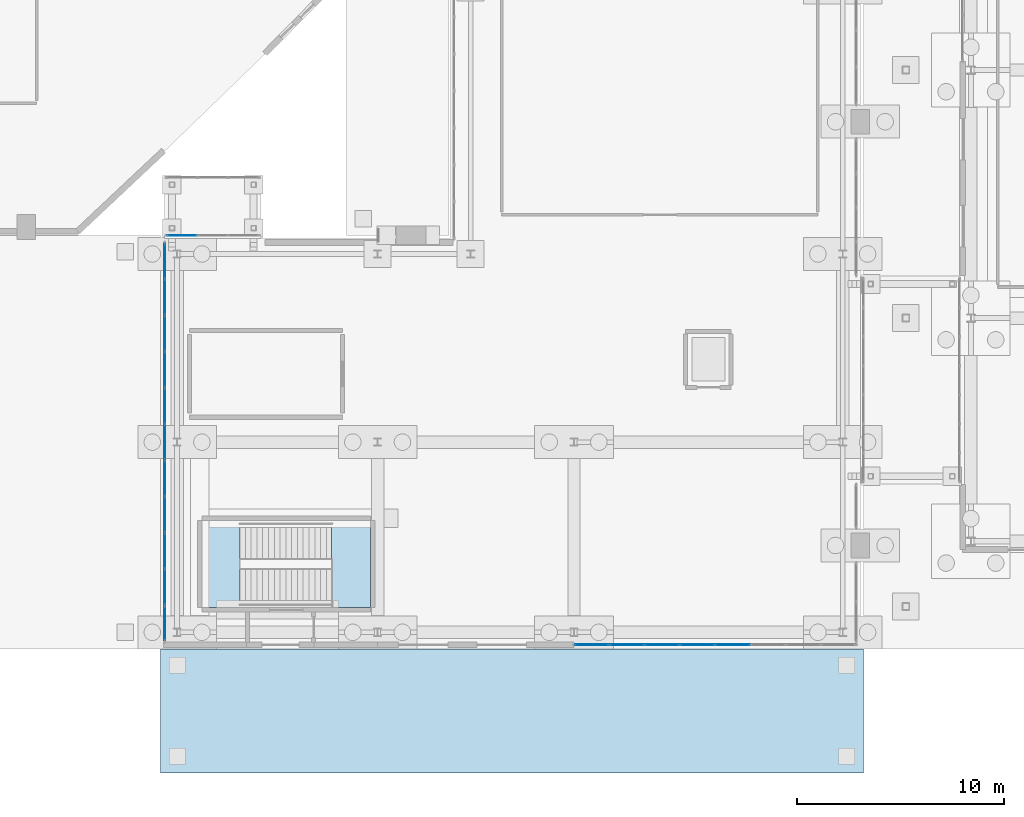
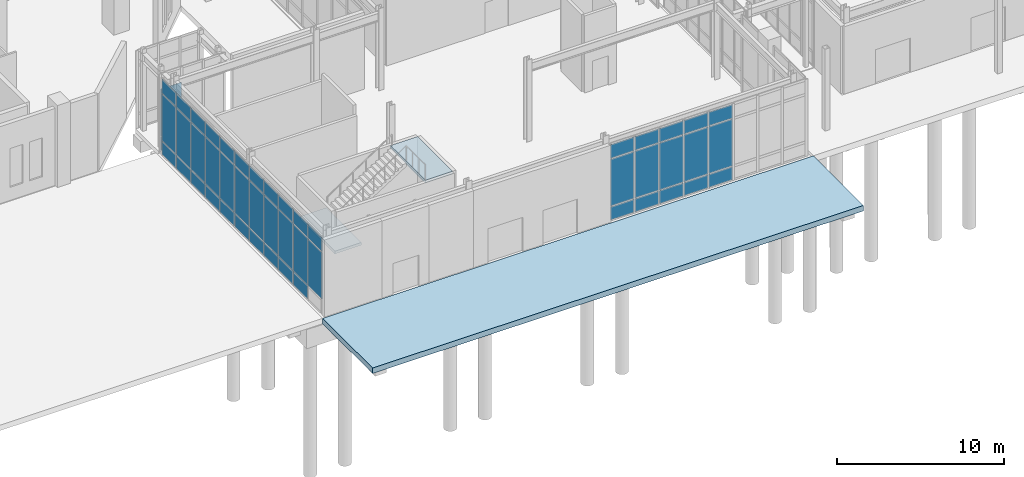
# One storey, part 80 of 143: 49 plates, 3 slabs, 4 elements without a shape of their own.
"""IFC4 building model written with IfcOpenShell, lengths in metres."""

import ifcopenshell
import ifcopenshell.guid

model = None  # the IFC model being written
_history = None  # IfcOwnerHistory: only IFC2X3 demands one
_inside = {}  # id of a spatial element -> (the spatial element, [elements in it])
_under = {}  # id of a project, library or spatial element -> (it, [spatial elements below it])
_declared = {}  # id of a project -> (the project, [libraries it declares])
_typed = {}  # id of a type object -> (the type object, [elements of that type])
_made_of = {}  # id of a material, layer set ... -> (it, [elements and type objects made of it])


def new_model(schema):
    """Start an empty IFC model of exactly this schema.

    Asked for "IFC4X3", IfcOpenShell would pick the latest addendum, in which some entities
    have other attributes; the version numbers below select the first issue.
    IFC2X3 requires an IfcOwnerHistory on every rooted entity: one is made here for all.
    """
    global model, _history
    if schema == "IFC4X3":
        model = ifcopenshell.file(schema_version=(4, 3, 0, 0))
    else:
        model = ifcopenshell.file(schema=schema)
    _inside.clear()
    _under.clear()
    _declared.clear()
    _typed.clear()
    _made_of.clear()
    _history = None
    if model.schema == "IFC2X3":
        org = make("IfcOrganization", Name="unknown")
        user = make(
            "IfcPersonAndOrganization",
            ThePerson=make("IfcPerson", FamilyName="unknown"),
            TheOrganization=org,
        )
        app = make(
            "IfcApplication",
            ApplicationDeveloper=org,
            Version="unknown",
            ApplicationFullName="unknown",
            ApplicationIdentifier="unknown",
        )
        _history = make(
            "IfcOwnerHistory",
            OwningUser=user,
            OwningApplication=app,
            ChangeAction="ADDED",
            CreationDate=0,
        )
    return model


def make(cls, **values):
    """One entity of the class cls with the attributes given. An attribute that is None is left unset."""
    return model.create_entity(
        cls, **{name: value for name, value in values.items() if value is not None}
    )


def rooted(cls, **values):
    """An entity with a GlobalId (a new one), such as an element, a storey or a relation."""
    return make(cls, GlobalId=ifcopenshell.guid.new(), OwnerHistory=_history, **values)


def si_unit(unit_type, name, prefix=None):
    """IfcSIUnit, for example si_unit("LENGTHUNIT", "METRE", prefix="MILLI")."""
    return make("IfcSIUnit", UnitType=unit_type, Prefix=prefix, Name=name)


def derived_unit(unit_type, elements):
    """IfcDerivedUnit: a product of units, each with its exponent."""
    return make(
        "IfcDerivedUnit",
        Elements=[
            make("IfcDerivedUnitElement", Unit=unit, Exponent=power)
            for unit, power in elements
        ],
        UnitType=unit_type,
    )


def assignment(units):
    """IfcUnitAssignment: the units of a project."""
    return None if units is None else make("IfcUnitAssignment", Units=units)


def point(xyz):
    """IfcCartesianPoint."""
    return None if xyz is None else make("IfcCartesianPoint", Coordinates=xyz)


def direction(xyz):
    """IfcDirection."""
    return None if xyz is None else make("IfcDirection", DirectionRatios=xyz)


def frame(location, z_axis=None, x_axis=None):
    """IfcAxis2Placement3D, a coordinate frame: its origin and axes. An axis left out is left unset."""
    return make(
        "IfcAxis2Placement3D",
        Location=point(location),
        Axis=direction(z_axis),
        RefDirection=direction(x_axis),
    )


def frame_2d(location, x_axis=None):
    """IfcAxis2Placement2D, a coordinate frame in the plane: its origin and x axis."""
    return make(
        "IfcAxis2Placement2D", Location=point(location), RefDirection=direction(x_axis)
    )


def origin():
    """The frame at (0, 0, 0) with its axes left unset."""
    return frame((0.0, 0.0, 0.0))


def origin_2d():
    """The frame at (0, 0) in the plane with its x axis left unset."""
    return frame_2d((0.0, 0.0))


def place(relative_to, where):
    """IfcLocalPlacement: puts the frame where relative to a parent placement (None: the world)."""
    return make(
        "IfcLocalPlacement", PlacementRelTo=relative_to, RelativePlacement=where
    )


def context(
    kind, dimensions, precision=None, world=None, true_north=None, identifier=None
):
    """IfcGeometricRepresentationContext, for example the 3D "Model" context."""
    return make(
        "IfcGeometricRepresentationContext",
        ContextIdentifier=identifier,
        ContextType=kind,
        CoordinateSpaceDimension=dimensions,
        Precision=precision,
        WorldCoordinateSystem=world,
        TrueNorth=true_north,
    )


def subcontext(parent, identifier, kind, view, scale=None):
    """IfcGeometricRepresentationSubContext, for example "Body" below "Model"."""
    return make(
        "IfcGeometricRepresentationSubContext",
        ContextIdentifier=identifier,
        ContextType=kind,
        ParentContext=parent,
        TargetScale=scale,
        TargetView=view,
    )


def project(units=None, contexts=None):
    """IfcProject with its units and contexts."""
    return rooted(
        "IfcProject",
        Name="project",
        RepresentationContexts=contexts,
        UnitsInContext=assignment(units),
    )


def spatial(cls, under=None, at=None, **own):
    """A site, building, storey or space (cls), placed at a placement, below another one or the project."""
    s = rooted(cls, ObjectPlacement=at, **own)
    if under is not None:
        _under.setdefault(under.id(), (under, []))[1].append(s)
    return s


def polyline(points):
    """IfcPolyline through the points."""
    return make("IfcPolyline", Points=[point(p) for p in points])


def profile(cls, at=None, kind="AREA", **sizes):
    """A parametric profile (cls). Its sizes go by their IFC names, for example OverallWidth=200.0."""
    return make(cls, ProfileType=kind, Position=at, **sizes)


def rectangle(**sizes):
    """IfcRectangleProfileDef."""
    return profile("IfcRectangleProfileDef", **sizes)


def outline(outer, holes=None, kind="AREA"):
    """IfcArbitraryClosedProfileDef: a profile drawn as a closed curve; with holes, ...WithVoids."""
    if holes is None:
        return make("IfcArbitraryClosedProfileDef", ProfileType=kind, OuterCurve=outer)
    return make(
        "IfcArbitraryProfileDefWithVoids",
        ProfileType=kind,
        OuterCurve=outer,
        InnerCurves=holes,
    )


def extrude(swept, where, along, depth):
    """IfcExtrudedAreaSolid: the profile swept, set in the frame where, extruded along a direction by depth."""
    return make(
        "IfcExtrudedAreaSolid",
        SweptArea=swept,
        Position=where,
        ExtrudedDirection=direction(along),
        Depth=depth,
    )


def shape(context_of_items, identifier, shape_type, items):
    """IfcShapeRepresentation: the items that make up one representation, for example the "Body"."""
    return make(
        "IfcShapeRepresentation",
        ContextOfItems=context_of_items,
        RepresentationIdentifier=identifier,
        RepresentationType=shape_type,
        Items=items,
    )


def material(Name=None, Category=None):
    """IfcMaterial."""
    return make("IfcMaterial", Name=Name, Category=Category)


def layer(
    of_material, thickness, ventilated=None, Name=None, Category=None, Priority=None
):
    """IfcMaterialLayer: one layer of a wall or slab, of a material (None: an air gap)."""
    return make(
        "IfcMaterialLayer",
        Material=of_material,
        LayerThickness=thickness,
        IsVentilated=ventilated,
        Name=Name,
        Category=Category,
        Priority=Priority,
    )


def layer_set(layers, Name=None):
    """IfcMaterialLayerSet."""
    return make("IfcMaterialLayerSet", MaterialLayers=layers, LayerSetName=Name)


def made_of(thing, what):
    """Note that an element or type object is made of a material, layer set ...; save() writes the relation."""
    if what is not None:
        _made_of.setdefault(what.id(), (what, []))[1].append(thing)
    return thing


def type_object(cls, material=None, **own):
    """A type object (cls), such as IfcWallType, which elements share."""
    return made_of(rooted(cls, **own), material)


def element(
    cls,
    number,
    at=None,
    inside=None,
    cuts=None,
    type_object=None,
    material=None,
    context=None,
    identifier="Body",
    shape_type=None,
    held_by="IfcProductDefinitionShape",
    body=None,
    shapes=None,
    **own,
):
    """One element of the class cls, such as IfcWall. Its Tag is "e" and its number.

    at: its placement. inside: the storey or other place that contains it. cuts: it is an
    opening in that element (IfcRelVoidsElement). A single representation is given by context,
    identifier, shape_type and body (its items); several are given by shapes. held_by: the class
    of the entity that holds the representations. save() writes the other relations.
    """
    e = rooted(cls, Tag="e%d" % number, ObjectPlacement=at, **own)
    if body is not None:
        shapes = [shape(context, identifier, shape_type, body)]
    if shapes is not None:
        e.Representation = make(held_by, Representations=shapes)
    if inside is not None:
        _inside.setdefault(inside.id(), (inside, []))[1].append(e)
    if cuts is not None:
        rooted(
            "IfcRelVoidsElement", RelatingBuildingElement=cuts, RelatedOpeningElement=e
        )
    if type_object is not None:
        _typed.setdefault(type_object.id(), (type_object, []))[1].append(e)
    return made_of(e, material)


def aggregate(whole, parts):
    """IfcRelAggregates: a whole, such as a stair, and the parts it consists of."""
    return rooted("IfcRelAggregates", RelatingObject=whole, RelatedObjects=parts)


def save(model, path):
    """Write the relations noted so far, then the file.

    IfcRelAggregates (storeys below a building ...), IfcRelContainedInSpatialStructure (elements
    in a storey), IfcRelDefinesByType, IfcRelAssociatesMaterial and IfcRelDeclares: one each for
    every whole, place, type object, material and project.
    """
    for whole, parts in _under.values():
        aggregate(whole, parts)
    for where, things in _inside.values():
        rooted(
            "IfcRelContainedInSpatialStructure",
            RelatedElements=things,
            RelatingStructure=where,
        )
    for kind, things in _typed.values():
        rooted("IfcRelDefinesByType", RelatedObjects=things, RelatingType=kind)
    for what, things in _made_of.values():
        rooted("IfcRelAssociatesMaterial", RelatedObjects=things, RelatingMaterial=what)
    for by, libraries in _declared.values():
        rooted("IfcRelDeclares", RelatingContext=by, RelatedDefinitions=libraries)
    model.write(path)


model = new_model("IFC4")

# Units and contexts
model_context = context("Model", 3, precision=1e-05, world=origin(), true_north=direction((0.0, 1.0)))
body_context = subcontext(model_context, "Body", "Model", "MODEL_VIEW")
ifc_project = project(units=[si_unit("LENGTHUNIT", "METRE"), si_unit("AREAUNIT", "SQUARE_METRE"), si_unit("VOLUMEUNIT", "CUBIC_METRE"), si_unit("PLANEANGLEUNIT", "RADIAN"), si_unit("MASSUNIT", "GRAM", prefix="KILO"), derived_unit("THERMALTRANSMITTANCEUNIT", [(si_unit("MASSUNIT", "GRAM", prefix="KILO"), 1), (si_unit("TIMEUNIT", "SECOND"), -3), (si_unit("THERMODYNAMICTEMPERATUREUNIT", "KELVIN"), -1)])], contexts=[model_context])

# Site, building, storey
site_placement = place(None, origin())
site = spatial("IfcSite", under=ifc_project, at=site_placement, CompositionType="ELEMENT")
building_placement = place(site_placement, origin())
building = spatial("IfcBuilding", under=site, at=building_placement, Name="Valcora Ridge Arena", CompositionType="ELEMENT")
storey_placement = place(building_placement, origin())
storey = spatial("IfcBuildingStorey", under=building, at=storey_placement, Name="L00", CompositionType="ELEMENT", Elevation=0.0)

# Stair, slabs
ifc_material_1 = material(Name="Concrete C40/50", Category="concrete")
stair_type = type_object("IfcStairType", Name="TY-STAIR-ES11-60", PredefinedType="HALF_TURN_STAIR", material=ifc_material_1)
stair_placement = place(storey_placement, origin())
stair = element("IfcStair", 1, at=stair_placement, inside=storey, type_object=stair_type, Name="ES11-60 STR-ES-0036", PredefinedType="HALF_TURN_STAIR")
ifc_layer_1 = layer(ifc_material_1, 0.199951171875, Name="Concrete C40/50")
ifc_layer_set_1 = layer_set([ifc_layer_1], Name="Concrete C40/50")
slab_type_1 = type_object("IfcSlabType", Name="TY-LAND-ES11-60", PredefinedType="LANDING", material=ifc_layer_set_1)
slab_1_placement = place(storey_placement, frame((0.0, 0.0, 2.800048828125)))
slab_1 = element("IfcSlab", 2, at=slab_1_placement, type_object=slab_type_1, Name="ES11-60 landing 1", PredefinedType="LANDING", context=body_context, shape_type="SweptSolid", body=[
    extrude(outline(polyline([(100.001953125, 2.001953125), (101.840087890625, 2.001953125), (101.840087890625, 6.197998046875), (100.001953125, 6.197998046875), (100.001953125, 2.001953125)])), origin(), (0.0, 0.0, 1.0), 0.199951171875),
])
slab_2_placement = place(storey_placement, frame((0.0, 0.0, 5.800048828125)))
slab_2 = element("IfcSlab", 3, at=slab_2_placement, type_object=slab_type_1, Name="ES11-60 landing 2", PredefinedType="LANDING", context=body_context, shape_type="SweptSolid", body=[
    extrude(outline(polyline([(106.280029296875, 2.001953125), (108.157958984375, 2.001953125), (108.157958984375, 6.197998046875), (106.280029296875, 6.197998046875), (106.280029296875, 2.001953125)])), origin(), (0.0, 0.0, 1.0), 0.199951171875),
])
aggregate(stair, [slab_1, slab_2])

# Curtain wall, plates
ifc_material_2 = material(Name="Anodised dark bronze architectural aluminium 6063-T6", Category="aluminium")
ifc_layer_2 = layer(ifc_material_2, 0.14990234375, Name="Anodised dark bronze architectural aluminium 6063-T6")
ifc_layer_set_2 = layer_set([ifc_layer_2], Name="Anodised dark bronze architectural aluminium 6063-T6")
curtain_wall_type_1 = type_object("IfcCurtainWallType", Name="TY-CURTAINWALL-CW-BRG-045X57", PredefinedType="NOTDEFINED", material=ifc_layer_set_2)
curtain_wall_1_placement = place(storey_placement, origin())
curtain_wall_1 = element("IfcCurtainWall", 4, at=curtain_wall_1_placement, inside=storey, type_object=curtain_wall_type_1, Name="CW-BRG-045X57 CW-0346", PredefinedType="NOTDEFINED")
ifc_material_3 = material(Name="Low-iron solar-control double glazing SHGC 0.28", Category="glass")
ifc_layer_3 = layer(ifc_material_3, 0.028076171875, Name="Low-iron solar-control double glazing SHGC 0.28")
ifc_layer_set_3 = layer_set([ifc_layer_3], Name="Low-iron solar-control double glazing SHGC 0.28")
plate_type_1 = type_object("IfcPlateType", Name="TY-PLT-CWP-1422X0975", PredefinedType="CURTAIN_PANEL", material=ifc_layer_set_3)
plate_1_placement = place(storey_placement, frame((99.041015625, 20.0, 0.050048828125), z_axis=(0.0, 0.0, 1.0), x_axis=(1.0, 0.0, 0.0)))
plate_1 = element("IfcPlate", 5, at=plate_1_placement, type_object=plate_type_1, Name="CW-0346/P00-00", PredefinedType="CURTAIN_PANEL", context=body_context, shape_type="SweptSolid", body=[
    extrude(rectangle(XDim=1.422119140625, YDim=0.028076171875, at=origin_2d()), origin(), (0.0, 0.0, 1.0), 0.97509765625),
])
ifc_layer_4 = layer(ifc_material_3, 0.028076171875, Name="Low-iron solar-control double glazing SHGC 0.28")
ifc_layer_set_4 = layer_set([ifc_layer_4], Name="Low-iron solar-control double glazing SHGC 0.28")
plate_type_2 = type_object("IfcPlateType", Name="TY-PLT-CWP-1422X3480", PredefinedType="CURTAIN_PANEL", material=ifc_layer_set_4)
plate_2_placement = place(storey_placement, frame((99.041015625, 20.0, 1.074951171875), z_axis=(0.0, 0.0, 1.0), x_axis=(1.0, 0.0, 0.0)))
plate_2 = element("IfcPlate", 6, at=plate_2_placement, type_object=plate_type_2, Name="CW-0346/P00-01", PredefinedType="CURTAIN_PANEL", context=body_context, shape_type="SweptSolid", body=[
    extrude(rectangle(XDim=1.422119140625, YDim=0.028076171875, at=origin_2d()), origin(), (0.0, 0.0, 1.0), 3.47998046875),
])
aggregate(curtain_wall_1, [plate_1, plate_2])

ifc_layer_5 = layer(ifc_material_2, 0.179931640625, Name="Anodised dark bronze architectural aluminium 6063-T6")
ifc_layer_set_5 = layer_set([ifc_layer_5], Name="Anodised dark bronze architectural aluminium 6063-T6")
curtain_wall_type_2 = type_object("IfcCurtainWallType", Name="TY-CURTAINWALL-CW-V3-LANCET-136X56", PredefinedType="NOTDEFINED", material=ifc_layer_set_5)
curtain_wall_2_placement = place(storey_placement, origin())
curtain_wall_2 = element("IfcCurtainWall", 7, at=curtain_wall_2_placement, inside=storey, type_object=curtain_wall_type_2, Name="CW-V3-LANCET-136X56 CW-0001", PredefinedType="NOTDEFINED")
ifc_layer_6 = layer(ifc_material_3, 0.031982421875, Name="Low-iron solar-control double glazing SHGC 0.28")
ifc_layer_set_6 = layer_set([ifc_layer_6], Name="Low-iron solar-control double glazing SHGC 0.28")
plate_type_3 = type_object("IfcPlateType", Name="TY-PLT-CWP-1616X0960", PredefinedType="CURTAIN_PANEL", material=ifc_layer_set_6)
plate_3_placement = place(storey_placement, frame((118.867919921875, 0.199951171875, 0.06005859375), z_axis=(0.0, 0.0, 1.0), x_axis=(1.0, 0.0, 0.0)))
plate_3 = element("IfcPlate", 8, at=plate_3_placement, type_object=plate_type_3, Name="CW-0001/P00-00", PredefinedType="CURTAIN_PANEL", context=body_context, shape_type="SweptSolid", body=[
    extrude(rectangle(XDim=1.615966796875, YDim=0.031982421875, at=origin_2d()), origin(), (0.0, 0.0, 1.0), 0.9599609375),
])
ifc_layer_7 = layer(ifc_material_3, 0.031982421875, Name="Low-iron solar-control double glazing SHGC 0.28")
ifc_layer_set_7 = layer_set([ifc_layer_7], Name="Low-iron solar-control double glazing SHGC 0.28")
plate_type_4 = type_object("IfcPlateType", Name="TY-PLT-CWP-1616X1010", PredefinedType="CURTAIN_PANEL", material=ifc_layer_set_7)
plate_4_placement = place(storey_placement, frame((118.867919921875, 0.199951171875, 4.56982421875), z_axis=(0.0, 0.0, 1.0), x_axis=(1.0, 0.0, 0.0)))
plate_4 = element("IfcPlate", 9, at=plate_4_placement, type_object=plate_type_4, Name="CW-0001/P00-02", PredefinedType="CURTAIN_PANEL", context=body_context, shape_type="SweptSolid", body=[
    extrude(rectangle(XDim=1.615966796875, YDim=0.031982421875, at=origin_2d()), origin(), (0.0, 0.0, 1.0), 1.010009765625),
])
ifc_layer_8 = layer(ifc_material_3, 0.031982421875, Name="Low-iron solar-control double glazing SHGC 0.28")
ifc_layer_set_8 = layer_set([ifc_layer_8], Name="Low-iron solar-control double glazing SHGC 0.28")
plate_type_5 = type_object("IfcPlateType", Name="TY-PLT-CWP-1616X3430", PredefinedType="CURTAIN_PANEL", material=ifc_layer_set_8)
plate_5_placement = place(storey_placement, frame((118.867919921875, 0.199951171875, 1.080078125), z_axis=(0.0, 0.0, 1.0), x_axis=(1.0, 0.0, 0.0)))
plate_5 = element("IfcPlate", 10, at=plate_5_placement, type_object=plate_type_5, Name="CW-0001/P00-01", PredefinedType="CURTAIN_PANEL", context=body_context, shape_type="SweptSolid", body=[
    extrude(rectangle(XDim=1.615966796875, YDim=0.031982421875, at=origin_2d()), origin(), (0.0, 0.0, 1.0), 3.429931640625),
])
ifc_layer_9 = layer(ifc_material_3, 0.031982421875, Name="Low-iron solar-control double glazing SHGC 0.28")
ifc_layer_set_9 = layer_set([ifc_layer_9], Name="Low-iron solar-control double glazing SHGC 0.28")
plate_type_6 = type_object("IfcPlateType", Name="TY-PLT-CWP-1646X0960", PredefinedType="CURTAIN_PANEL", material=ifc_layer_set_9)
plate_6_placement = place(storey_placement, frame((123.971923828125, 0.199951171875, 0.06005859375), z_axis=(0.0, 0.0, 1.0), x_axis=(1.0, 0.0, 0.0)))
plate_6 = element("IfcPlate", 11, at=plate_6_placement, type_object=plate_type_6, Name="CW-0001/P03-00", PredefinedType="CURTAIN_PANEL", context=body_context, shape_type="SweptSolid", body=[
    extrude(rectangle(XDim=1.64599609375, YDim=0.031982421875, at=origin_2d()), origin(), (0.0, 0.0, 1.0), 0.9599609375),
])
plate_7_placement = place(storey_placement, frame((125.677978515625, 0.199951171875, 0.06005859375), z_axis=(0.0, 0.0, 1.0), x_axis=(1.0, 0.0, 0.0)))
plate_7 = element("IfcPlate", 12, at=plate_7_placement, type_object=plate_type_6, Name="CW-0001/P04-00", PredefinedType="CURTAIN_PANEL", context=body_context, shape_type="SweptSolid", body=[
    extrude(rectangle(XDim=1.64599609375, YDim=0.031982421875, at=origin_2d()), origin(), (0.0, 0.0, 1.0), 0.9599609375),
])
ifc_layer_10 = layer(ifc_material_3, 0.031982421875, Name="Low-iron solar-control double glazing SHGC 0.28")
ifc_layer_set_10 = layer_set([ifc_layer_10], Name="Low-iron solar-control double glazing SHGC 0.28")
plate_type_7 = type_object("IfcPlateType", Name="TY-PLT-CWP-1646X1010", PredefinedType="CURTAIN_PANEL", material=ifc_layer_set_10)
plate_8_placement = place(storey_placement, frame((123.971923828125, 0.199951171875, 4.56982421875), z_axis=(0.0, 0.0, 1.0), x_axis=(1.0, 0.0, 0.0)))
plate_8 = element("IfcPlate", 13, at=plate_8_placement, type_object=plate_type_7, Name="CW-0001/P03-02", PredefinedType="CURTAIN_PANEL", context=body_context, shape_type="SweptSolid", body=[
    extrude(rectangle(XDim=1.64599609375, YDim=0.031982421875, at=origin_2d()), origin(), (0.0, 0.0, 1.0), 1.010009765625),
])
plate_9_placement = place(storey_placement, frame((125.677978515625, 0.199951171875, 4.56982421875), z_axis=(0.0, 0.0, 1.0), x_axis=(1.0, 0.0, 0.0)))
plate_9 = element("IfcPlate", 14, at=plate_9_placement, type_object=plate_type_7, Name="CW-0001/P04-02", PredefinedType="CURTAIN_PANEL", context=body_context, shape_type="SweptSolid", body=[
    extrude(rectangle(XDim=1.64599609375, YDim=0.031982421875, at=origin_2d()), origin(), (0.0, 0.0, 1.0), 1.010009765625),
])
ifc_layer_11 = layer(ifc_material_3, 0.031982421875, Name="Low-iron solar-control double glazing SHGC 0.28")
ifc_layer_set_11 = layer_set([ifc_layer_11], Name="Low-iron solar-control double glazing SHGC 0.28")
plate_type_8 = type_object("IfcPlateType", Name="TY-PLT-CWP-1646X3430", PredefinedType="CURTAIN_PANEL", material=ifc_layer_set_11)
plate_10_placement = place(storey_placement, frame((123.971923828125, 0.199951171875, 1.080078125), z_axis=(0.0, 0.0, 1.0), x_axis=(1.0, 0.0, 0.0)))
plate_10 = element("IfcPlate", 15, at=plate_10_placement, type_object=plate_type_8, Name="CW-0001/P03-01", PredefinedType="CURTAIN_PANEL", context=body_context, shape_type="SweptSolid", body=[
    extrude(rectangle(XDim=1.64599609375, YDim=0.031982421875, at=origin_2d()), origin(), (0.0, 0.0, 1.0), 3.429931640625),
])
plate_11_placement = place(storey_placement, frame((125.677978515625, 0.199951171875, 1.080078125), z_axis=(0.0, 0.0, 1.0), x_axis=(1.0, 0.0, 0.0)))
plate_11 = element("IfcPlate", 16, at=plate_11_placement, type_object=plate_type_8, Name="CW-0001/P04-01", PredefinedType="CURTAIN_PANEL", context=body_context, shape_type="SweptSolid", body=[
    extrude(rectangle(XDim=1.64599609375, YDim=0.031982421875, at=origin_2d()), origin(), (0.0, 0.0, 1.0), 3.429931640625),
])
ifc_layer_12 = layer(ifc_material_3, 0.031982421875, Name="Low-iron solar-control double glazing SHGC 0.28")
ifc_layer_set_12 = layer_set([ifc_layer_12], Name="Low-iron solar-control double glazing SHGC 0.28")
plate_type_9 = type_object("IfcPlateType", Name="TY-PLT-CWP-1647X0960", PredefinedType="CURTAIN_PANEL", material=ifc_layer_set_12)
plate_12_placement = place(storey_placement, frame((120.5595703125, 0.199951171875, 0.06005859375), z_axis=(0.0, 0.0, 1.0), x_axis=(1.0, 0.0, 0.0)))
plate_12 = element("IfcPlate", 17, at=plate_12_placement, type_object=plate_type_9, Name="CW-0001/P01-00", PredefinedType="CURTAIN_PANEL", context=body_context, shape_type="SweptSolid", body=[
    extrude(rectangle(XDim=1.64697265625, YDim=0.031982421875, at=origin_2d()), origin(), (0.0, 0.0, 1.0), 0.9599609375),
])
plate_13_placement = place(storey_placement, frame((122.265380859375, 0.199951171875, 0.06005859375), z_axis=(0.0, 0.0, 1.0), x_axis=(1.0, 0.0, 0.0)))
plate_13 = element("IfcPlate", 18, at=plate_13_placement, type_object=plate_type_9, Name="CW-0001/P02-00", PredefinedType="CURTAIN_PANEL", context=body_context, shape_type="SweptSolid", body=[
    extrude(rectangle(XDim=1.64697265625, YDim=0.031982421875, at=origin_2d()), origin(), (0.0, 0.0, 1.0), 0.9599609375),
])
ifc_layer_13 = layer(ifc_material_3, 0.031982421875, Name="Low-iron solar-control double glazing SHGC 0.28")
ifc_layer_set_13 = layer_set([ifc_layer_13], Name="Low-iron solar-control double glazing SHGC 0.28")
plate_type_10 = type_object("IfcPlateType", Name="TY-PLT-CWP-1647X1010", PredefinedType="CURTAIN_PANEL", material=ifc_layer_set_13)
plate_14_placement = place(storey_placement, frame((120.5595703125, 0.199951171875, 4.56982421875), z_axis=(0.0, 0.0, 1.0), x_axis=(1.0, 0.0, 0.0)))
plate_14 = element("IfcPlate", 19, at=plate_14_placement, type_object=plate_type_10, Name="CW-0001/P01-02", PredefinedType="CURTAIN_PANEL", context=body_context, shape_type="SweptSolid", body=[
    extrude(rectangle(XDim=1.64697265625, YDim=0.031982421875, at=origin_2d()), origin(), (0.0, 0.0, 1.0), 1.010009765625),
])
plate_15_placement = place(storey_placement, frame((122.265380859375, 0.199951171875, 4.56982421875), z_axis=(0.0, 0.0, 1.0), x_axis=(1.0, 0.0, 0.0)))
plate_15 = element("IfcPlate", 20, at=plate_15_placement, type_object=plate_type_10, Name="CW-0001/P02-02", PredefinedType="CURTAIN_PANEL", context=body_context, shape_type="SweptSolid", body=[
    extrude(rectangle(XDim=1.64697265625, YDim=0.031982421875, at=origin_2d()), origin(), (0.0, 0.0, 1.0), 1.010009765625),
])
ifc_layer_14 = layer(ifc_material_3, 0.031982421875, Name="Low-iron solar-control double glazing SHGC 0.28")
ifc_layer_set_14 = layer_set([ifc_layer_14], Name="Low-iron solar-control double glazing SHGC 0.28")
plate_type_11 = type_object("IfcPlateType", Name="TY-PLT-CWP-1647X3430", PredefinedType="CURTAIN_PANEL", material=ifc_layer_set_14)
plate_16_placement = place(storey_placement, frame((120.5595703125, 0.199951171875, 1.080078125), z_axis=(0.0, 0.0, 1.0), x_axis=(1.0, 0.0, 0.0)))
plate_16 = element("IfcPlate", 21, at=plate_16_placement, type_object=plate_type_11, Name="CW-0001/P01-01", PredefinedType="CURTAIN_PANEL", context=body_context, shape_type="SweptSolid", body=[
    extrude(rectangle(XDim=1.64697265625, YDim=0.031982421875, at=origin_2d()), origin(), (0.0, 0.0, 1.0), 3.429931640625),
])
plate_17_placement = place(storey_placement, frame((122.265380859375, 0.199951171875, 1.080078125), z_axis=(0.0, 0.0, 1.0), x_axis=(1.0, 0.0, 0.0)))
plate_17 = element("IfcPlate", 22, at=plate_17_placement, type_object=plate_type_11, Name="CW-0001/P02-01", PredefinedType="CURTAIN_PANEL", context=body_context, shape_type="SweptSolid", body=[
    extrude(rectangle(XDim=1.64697265625, YDim=0.031982421875, at=origin_2d()), origin(), (0.0, 0.0, 1.0), 3.429931640625),
])
aggregate(curtain_wall_2, [plate_3, plate_5, plate_4, plate_12, plate_16, plate_14, plate_13, plate_17, plate_15, plate_6, plate_10, plate_8, plate_7, plate_11, plate_9])

ifc_layer_15 = layer(ifc_material_2, 0.179931640625, Name="Anodised dark bronze architectural aluminium 6063-T6")
ifc_layer_set_15 = layer_set([ifc_layer_15], Name="Anodised dark bronze architectural aluminium 6063-T6")
curtain_wall_type_3 = type_object("IfcCurtainWallType", Name="TY-CURTAINWALL-CW-V3-LANCET-193X56", PredefinedType="NOTDEFINED", material=ifc_layer_set_15)
curtain_wall_3_placement = place(storey_placement, origin())
curtain_wall_3 = element("IfcCurtainWall", 23, at=curtain_wall_3_placement, inside=storey, type_object=curtain_wall_type_3, Name="CW-V3-LANCET-193X56 CW-0010", PredefinedType="NOTDEFINED")
ifc_layer_16 = layer(ifc_material_3, 0.031982421875, Name="Low-iron solar-control double glazing SHGC 0.28")
ifc_layer_set_16 = layer_set([ifc_layer_16], Name="Low-iron solar-control double glazing SHGC 0.28")
plate_type_12 = type_object("IfcPlateType", Name="TY-PLT-CWP-1665X0960", PredefinedType="CURTAIN_PANEL", material=ifc_layer_set_16)
plate_18_placement = place(storey_placement, frame((98.199951171875, 18.757568359375, 0.06005859375), z_axis=(0.0, 0.0, 1.0), x_axis=(0.0, 1.0, 0.0)))
plate_18 = element("IfcPlate", 24, at=plate_18_placement, type_object=plate_type_12, Name="CW-0010/P10-00", PredefinedType="CURTAIN_PANEL", context=body_context, shape_type="SweptSolid", body=[
    extrude(rectangle(XDim=1.6650390625, YDim=0.031982421875, at=origin_2d()), origin(), (0.0, 0.0, 1.0), 0.9599609375),
])
ifc_layer_17 = layer(ifc_material_3, 0.031982421875, Name="Low-iron solar-control double glazing SHGC 0.28")
ifc_layer_set_17 = layer_set([ifc_layer_17], Name="Low-iron solar-control double glazing SHGC 0.28")
plate_type_13 = type_object("IfcPlateType", Name="TY-PLT-CWP-1665X1010", PredefinedType="CURTAIN_PANEL", material=ifc_layer_set_17)
plate_19_placement = place(storey_placement, frame((98.199951171875, 1.242431640625, 4.56982421875), z_axis=(0.0, 0.0, 1.0), x_axis=(0.0, 1.0, 0.0)))
plate_19 = element("IfcPlate", 25, at=plate_19_placement, type_object=plate_type_13, Name="CW-0010/P00-02", PredefinedType="CURTAIN_PANEL", context=body_context, shape_type="SweptSolid", body=[
    extrude(rectangle(XDim=1.6650390625, YDim=0.031982421875, at=origin_2d()), origin(), (0.0, 0.0, 1.0), 1.010009765625),
])
plate_20_placement = place(storey_placement, frame((98.199951171875, 18.757568359375, 4.56982421875), z_axis=(0.0, 0.0, 1.0), x_axis=(0.0, 1.0, 0.0)))
plate_20 = element("IfcPlate", 26, at=plate_20_placement, type_object=plate_type_13, Name="CW-0010/P10-02", PredefinedType="CURTAIN_PANEL", context=body_context, shape_type="SweptSolid", body=[
    extrude(rectangle(XDim=1.6650390625, YDim=0.031982421875, at=origin_2d()), origin(), (0.0, 0.0, 1.0), 1.010009765625),
])
ifc_layer_18 = layer(ifc_material_3, 0.031982421875, Name="Low-iron solar-control double glazing SHGC 0.28")
ifc_layer_set_18 = layer_set([ifc_layer_18], Name="Low-iron solar-control double glazing SHGC 0.28")
plate_type_14 = type_object("IfcPlateType", Name="TY-PLT-CWP-1665X3430", PredefinedType="CURTAIN_PANEL", material=ifc_layer_set_18)
plate_21_placement = place(storey_placement, frame((98.199951171875, 1.242431640625, 1.080078125), z_axis=(0.0, 0.0, 1.0), x_axis=(0.0, 1.0, 0.0)))
plate_21 = element("IfcPlate", 27, at=plate_21_placement, type_object=plate_type_14, Name="CW-0010/P00-01", PredefinedType="CURTAIN_PANEL", context=body_context, shape_type="SweptSolid", body=[
    extrude(rectangle(XDim=1.6650390625, YDim=0.031982421875, at=origin_2d()), origin(), (0.0, 0.0, 1.0), 3.429931640625),
])
plate_22_placement = place(storey_placement, frame((98.199951171875, 18.757568359375, 1.080078125), z_axis=(0.0, 0.0, 1.0), x_axis=(0.0, 1.0, 0.0)))
plate_22 = element("IfcPlate", 28, at=plate_22_placement, type_object=plate_type_14, Name="CW-0010/P10-01", PredefinedType="CURTAIN_PANEL", context=body_context, shape_type="SweptSolid", body=[
    extrude(rectangle(XDim=1.6650390625, YDim=0.031982421875, at=origin_2d()), origin(), (0.0, 0.0, 1.0), 3.429931640625),
])
ifc_layer_19 = layer(ifc_material_3, 0.031982421875, Name="Low-iron solar-control double glazing SHGC 0.28")
ifc_layer_set_19 = layer_set([ifc_layer_19], Name="Low-iron solar-control double glazing SHGC 0.28")
plate_type_15 = type_object("IfcPlateType", Name="TY-PLT-CWP-1694X0960", PredefinedType="CURTAIN_PANEL", material=ifc_layer_set_19)
plate_23_placement = place(storey_placement, frame((98.199951171875, 2.98193359375, 0.06005859375), z_axis=(0.0, 0.0, 1.0), x_axis=(0.0, 1.0, 0.0)))
plate_23 = element("IfcPlate", 29, at=plate_23_placement, type_object=plate_type_15, Name="CW-0010/P01-00", PredefinedType="CURTAIN_PANEL", context=body_context, shape_type="SweptSolid", body=[
    extrude(rectangle(XDim=1.694091796875, YDim=0.031982421875, at=origin_2d()), origin(), (0.0, 0.0, 1.0), 0.9599609375),
])
plate_24_placement = place(storey_placement, frame((98.199951171875, 6.490966796875, 0.06005859375), z_axis=(0.0, 0.0, 1.0), x_axis=(0.0, 1.0, 0.0)))
plate_24 = element("IfcPlate", 30, at=plate_24_placement, type_object=plate_type_15, Name="CW-0010/P03-00", PredefinedType="CURTAIN_PANEL", context=body_context, shape_type="SweptSolid", body=[
    extrude(rectangle(XDim=1.694091796875, YDim=0.031982421875, at=origin_2d()), origin(), (0.0, 0.0, 1.0), 0.9599609375),
])
plate_25_placement = place(storey_placement, frame((98.199951171875, 10.0, 0.06005859375), z_axis=(0.0, 0.0, 1.0), x_axis=(0.0, 1.0, 0.0)))
plate_25 = element("IfcPlate", 31, at=plate_25_placement, type_object=plate_type_15, Name="CW-0010/P05-00", PredefinedType="CURTAIN_PANEL", context=body_context, shape_type="SweptSolid", body=[
    extrude(rectangle(XDim=1.694091796875, YDim=0.031982421875, at=origin_2d()), origin(), (0.0, 0.0, 1.0), 0.9599609375),
])
plate_26_placement = place(storey_placement, frame((98.199951171875, 13.509033203125, 0.06005859375), z_axis=(0.0, 0.0, 1.0), x_axis=(0.0, 1.0, 0.0)))
plate_26 = element("IfcPlate", 32, at=plate_26_placement, type_object=plate_type_15, Name="CW-0010/P07-00", PredefinedType="CURTAIN_PANEL", context=body_context, shape_type="SweptSolid", body=[
    extrude(rectangle(XDim=1.694091796875, YDim=0.031982421875, at=origin_2d()), origin(), (0.0, 0.0, 1.0), 0.9599609375),
])
plate_27_placement = place(storey_placement, frame((98.199951171875, 17.01806640625, 0.06005859375), z_axis=(0.0, 0.0, 1.0), x_axis=(0.0, 1.0, 0.0)))
plate_27 = element("IfcPlate", 33, at=plate_27_placement, type_object=plate_type_15, Name="CW-0010/P09-00", PredefinedType="CURTAIN_PANEL", context=body_context, shape_type="SweptSolid", body=[
    extrude(rectangle(XDim=1.694091796875, YDim=0.031982421875, at=origin_2d()), origin(), (0.0, 0.0, 1.0), 0.9599609375),
])
ifc_layer_20 = layer(ifc_material_3, 0.031982421875, Name="Low-iron solar-control double glazing SHGC 0.28")
ifc_layer_set_20 = layer_set([ifc_layer_20], Name="Low-iron solar-control double glazing SHGC 0.28")
plate_type_16 = type_object("IfcPlateType", Name="TY-PLT-CWP-1694X1010", PredefinedType="CURTAIN_PANEL", material=ifc_layer_set_20)
plate_28_placement = place(storey_placement, frame((98.199951171875, 2.98193359375, 4.56982421875), z_axis=(0.0, 0.0, 1.0), x_axis=(0.0, 1.0, 0.0)))
plate_28 = element("IfcPlate", 34, at=plate_28_placement, type_object=plate_type_16, Name="CW-0010/P01-02", PredefinedType="CURTAIN_PANEL", context=body_context, shape_type="SweptSolid", body=[
    extrude(rectangle(XDim=1.694091796875, YDim=0.031982421875, at=origin_2d()), origin(), (0.0, 0.0, 1.0), 1.010009765625),
])
plate_29_placement = place(storey_placement, frame((98.199951171875, 6.490966796875, 4.56982421875), z_axis=(0.0, 0.0, 1.0), x_axis=(0.0, 1.0, 0.0)))
plate_29 = element("IfcPlate", 35, at=plate_29_placement, type_object=plate_type_16, Name="CW-0010/P03-02", PredefinedType="CURTAIN_PANEL", context=body_context, shape_type="SweptSolid", body=[
    extrude(rectangle(XDim=1.694091796875, YDim=0.031982421875, at=origin_2d()), origin(), (0.0, 0.0, 1.0), 1.010009765625),
])
plate_30_placement = place(storey_placement, frame((98.199951171875, 10.0, 4.56982421875), z_axis=(0.0, 0.0, 1.0), x_axis=(0.0, 1.0, 0.0)))
plate_30 = element("IfcPlate", 36, at=plate_30_placement, type_object=plate_type_16, Name="CW-0010/P05-02", PredefinedType="CURTAIN_PANEL", context=body_context, shape_type="SweptSolid", body=[
    extrude(rectangle(XDim=1.694091796875, YDim=0.031982421875, at=origin_2d()), origin(), (0.0, 0.0, 1.0), 1.010009765625),
])
plate_31_placement = place(storey_placement, frame((98.199951171875, 13.509033203125, 4.56982421875), z_axis=(0.0, 0.0, 1.0), x_axis=(0.0, 1.0, 0.0)))
plate_31 = element("IfcPlate", 37, at=plate_31_placement, type_object=plate_type_16, Name="CW-0010/P07-02", PredefinedType="CURTAIN_PANEL", context=body_context, shape_type="SweptSolid", body=[
    extrude(rectangle(XDim=1.694091796875, YDim=0.031982421875, at=origin_2d()), origin(), (0.0, 0.0, 1.0), 1.010009765625),
])
plate_32_placement = place(storey_placement, frame((98.199951171875, 17.01806640625, 4.56982421875), z_axis=(0.0, 0.0, 1.0), x_axis=(0.0, 1.0, 0.0)))
plate_32 = element("IfcPlate", 38, at=plate_32_placement, type_object=plate_type_16, Name="CW-0010/P09-02", PredefinedType="CURTAIN_PANEL", context=body_context, shape_type="SweptSolid", body=[
    extrude(rectangle(XDim=1.694091796875, YDim=0.031982421875, at=origin_2d()), origin(), (0.0, 0.0, 1.0), 1.010009765625),
])
ifc_layer_21 = layer(ifc_material_3, 0.031982421875, Name="Low-iron solar-control double glazing SHGC 0.28")
ifc_layer_set_21 = layer_set([ifc_layer_21], Name="Low-iron solar-control double glazing SHGC 0.28")
plate_type_17 = type_object("IfcPlateType", Name="TY-PLT-CWP-1694X3430", PredefinedType="CURTAIN_PANEL", material=ifc_layer_set_21)
plate_33_placement = place(storey_placement, frame((98.199951171875, 2.98193359375, 1.080078125), z_axis=(0.0, 0.0, 1.0), x_axis=(0.0, 1.0, 0.0)))
plate_33 = element("IfcPlate", 39, at=plate_33_placement, type_object=plate_type_17, Name="CW-0010/P01-01", PredefinedType="CURTAIN_PANEL", context=body_context, shape_type="SweptSolid", body=[
    extrude(rectangle(XDim=1.694091796875, YDim=0.031982421875, at=origin_2d()), origin(), (0.0, 0.0, 1.0), 3.429931640625),
])
plate_34_placement = place(storey_placement, frame((98.199951171875, 6.490966796875, 1.080078125), z_axis=(0.0, 0.0, 1.0), x_axis=(0.0, 1.0, 0.0)))
plate_34 = element("IfcPlate", 40, at=plate_34_placement, type_object=plate_type_17, Name="CW-0010/P03-01", PredefinedType="CURTAIN_PANEL", context=body_context, shape_type="SweptSolid", body=[
    extrude(rectangle(XDim=1.694091796875, YDim=0.031982421875, at=origin_2d()), origin(), (0.0, 0.0, 1.0), 3.429931640625),
])
plate_35_placement = place(storey_placement, frame((98.199951171875, 10.0, 1.080078125), z_axis=(0.0, 0.0, 1.0), x_axis=(0.0, 1.0, 0.0)))
plate_35 = element("IfcPlate", 41, at=plate_35_placement, type_object=plate_type_17, Name="CW-0010/P05-01", PredefinedType="CURTAIN_PANEL", context=body_context, shape_type="SweptSolid", body=[
    extrude(rectangle(XDim=1.694091796875, YDim=0.031982421875, at=origin_2d()), origin(), (0.0, 0.0, 1.0), 3.429931640625),
])
plate_36_placement = place(storey_placement, frame((98.199951171875, 13.509033203125, 1.080078125), z_axis=(0.0, 0.0, 1.0), x_axis=(0.0, 1.0, 0.0)))
plate_36 = element("IfcPlate", 42, at=plate_36_placement, type_object=plate_type_17, Name="CW-0010/P07-01", PredefinedType="CURTAIN_PANEL", context=body_context, shape_type="SweptSolid", body=[
    extrude(rectangle(XDim=1.694091796875, YDim=0.031982421875, at=origin_2d()), origin(), (0.0, 0.0, 1.0), 3.429931640625),
])
plate_37_placement = place(storey_placement, frame((98.199951171875, 17.01806640625, 1.080078125), z_axis=(0.0, 0.0, 1.0), x_axis=(0.0, 1.0, 0.0)))
plate_37 = element("IfcPlate", 43, at=plate_37_placement, type_object=plate_type_17, Name="CW-0010/P09-01", PredefinedType="CURTAIN_PANEL", context=body_context, shape_type="SweptSolid", body=[
    extrude(rectangle(XDim=1.694091796875, YDim=0.031982421875, at=origin_2d()), origin(), (0.0, 0.0, 1.0), 3.429931640625),
])
ifc_layer_22 = layer(ifc_material_3, 0.031982421875, Name="Low-iron solar-control double glazing SHGC 0.28")
ifc_layer_set_22 = layer_set([ifc_layer_22], Name="Low-iron solar-control double glazing SHGC 0.28")
plate_type_18 = type_object("IfcPlateType", Name="TY-PLT-CWP-1695X0960", PredefinedType="CURTAIN_PANEL", material=ifc_layer_set_22)
plate_38_placement = place(storey_placement, frame((98.199951171875, 4.736572265625, 0.06005859375), z_axis=(0.0, 0.0, 1.0), x_axis=(0.0, 1.0, 0.0)))
plate_38 = element("IfcPlate", 44, at=plate_38_placement, type_object=plate_type_18, Name="CW-0010/P02-00", PredefinedType="CURTAIN_PANEL", context=body_context, shape_type="SweptSolid", body=[
    extrude(rectangle(XDim=1.695068359375, YDim=0.031982421875, at=origin_2d()), origin(), (0.0, 0.0, 1.0), 0.9599609375),
])
plate_39_placement = place(storey_placement, frame((98.199951171875, 8.24560546875, 0.06005859375), z_axis=(0.0, 0.0, 1.0), x_axis=(0.0, 1.0, 0.0)))
plate_39 = element("IfcPlate", 45, at=plate_39_placement, type_object=plate_type_18, Name="CW-0010/P04-00", PredefinedType="CURTAIN_PANEL", context=body_context, shape_type="SweptSolid", body=[
    extrude(rectangle(XDim=1.695068359375, YDim=0.031982421875, at=origin_2d()), origin(), (0.0, 0.0, 1.0), 0.9599609375),
])
plate_40_placement = place(storey_placement, frame((98.199951171875, 11.75439453125, 0.06005859375), z_axis=(0.0, 0.0, 1.0), x_axis=(0.0, 1.0, 0.0)))
plate_40 = element("IfcPlate", 46, at=plate_40_placement, type_object=plate_type_18, Name="CW-0010/P06-00", PredefinedType="CURTAIN_PANEL", context=body_context, shape_type="SweptSolid", body=[
    extrude(rectangle(XDim=1.695068359375, YDim=0.031982421875, at=origin_2d()), origin(), (0.0, 0.0, 1.0), 0.9599609375),
])
plate_41_placement = place(storey_placement, frame((98.199951171875, 15.263427734375, 0.06005859375), z_axis=(0.0, 0.0, 1.0), x_axis=(0.0, 1.0, 0.0)))
plate_41 = element("IfcPlate", 47, at=plate_41_placement, type_object=plate_type_18, Name="CW-0010/P08-00", PredefinedType="CURTAIN_PANEL", context=body_context, shape_type="SweptSolid", body=[
    extrude(rectangle(XDim=1.695068359375, YDim=0.031982421875, at=origin_2d()), origin(), (0.0, 0.0, 1.0), 0.9599609375),
])
ifc_layer_23 = layer(ifc_material_3, 0.031982421875, Name="Low-iron solar-control double glazing SHGC 0.28")
ifc_layer_set_23 = layer_set([ifc_layer_23], Name="Low-iron solar-control double glazing SHGC 0.28")
plate_type_19 = type_object("IfcPlateType", Name="TY-PLT-CWP-1695X1010", PredefinedType="CURTAIN_PANEL", material=ifc_layer_set_23)
plate_42_placement = place(storey_placement, frame((98.199951171875, 4.736572265625, 4.56982421875), z_axis=(0.0, 0.0, 1.0), x_axis=(0.0, 1.0, 0.0)))
plate_42 = element("IfcPlate", 48, at=plate_42_placement, type_object=plate_type_19, Name="CW-0010/P02-02", PredefinedType="CURTAIN_PANEL", context=body_context, shape_type="SweptSolid", body=[
    extrude(rectangle(XDim=1.695068359375, YDim=0.031982421875, at=origin_2d()), origin(), (0.0, 0.0, 1.0), 1.010009765625),
])
plate_43_placement = place(storey_placement, frame((98.199951171875, 8.24560546875, 4.56982421875), z_axis=(0.0, 0.0, 1.0), x_axis=(0.0, 1.0, 0.0)))
plate_43 = element("IfcPlate", 49, at=plate_43_placement, type_object=plate_type_19, Name="CW-0010/P04-02", PredefinedType="CURTAIN_PANEL", context=body_context, shape_type="SweptSolid", body=[
    extrude(rectangle(XDim=1.695068359375, YDim=0.031982421875, at=origin_2d()), origin(), (0.0, 0.0, 1.0), 1.010009765625),
])
plate_44_placement = place(storey_placement, frame((98.199951171875, 11.75439453125, 4.56982421875), z_axis=(0.0, 0.0, 1.0), x_axis=(0.0, 1.0, 0.0)))
plate_44 = element("IfcPlate", 50, at=plate_44_placement, type_object=plate_type_19, Name="CW-0010/P06-02", PredefinedType="CURTAIN_PANEL", context=body_context, shape_type="SweptSolid", body=[
    extrude(rectangle(XDim=1.695068359375, YDim=0.031982421875, at=origin_2d()), origin(), (0.0, 0.0, 1.0), 1.010009765625),
])
plate_45_placement = place(storey_placement, frame((98.199951171875, 15.263427734375, 4.56982421875), z_axis=(0.0, 0.0, 1.0), x_axis=(0.0, 1.0, 0.0)))
plate_45 = element("IfcPlate", 51, at=plate_45_placement, type_object=plate_type_19, Name="CW-0010/P08-02", PredefinedType="CURTAIN_PANEL", context=body_context, shape_type="SweptSolid", body=[
    extrude(rectangle(XDim=1.695068359375, YDim=0.031982421875, at=origin_2d()), origin(), (0.0, 0.0, 1.0), 1.010009765625),
])
ifc_layer_24 = layer(ifc_material_3, 0.031982421875, Name="Low-iron solar-control double glazing SHGC 0.28")
ifc_layer_set_24 = layer_set([ifc_layer_24], Name="Low-iron solar-control double glazing SHGC 0.28")
plate_type_20 = type_object("IfcPlateType", Name="TY-PLT-CWP-1695X3430", PredefinedType="CURTAIN_PANEL", material=ifc_layer_set_24)
plate_46_placement = place(storey_placement, frame((98.199951171875, 4.736572265625, 1.080078125), z_axis=(0.0, 0.0, 1.0), x_axis=(0.0, 1.0, 0.0)))
plate_46 = element("IfcPlate", 52, at=plate_46_placement, type_object=plate_type_20, Name="CW-0010/P02-01", PredefinedType="CURTAIN_PANEL", context=body_context, shape_type="SweptSolid", body=[
    extrude(rectangle(XDim=1.695068359375, YDim=0.031982421875, at=origin_2d()), origin(), (0.0, 0.0, 1.0), 3.429931640625),
])
plate_47_placement = place(storey_placement, frame((98.199951171875, 8.24560546875, 1.080078125), z_axis=(0.0, 0.0, 1.0), x_axis=(0.0, 1.0, 0.0)))
plate_47 = element("IfcPlate", 53, at=plate_47_placement, type_object=plate_type_20, Name="CW-0010/P04-01", PredefinedType="CURTAIN_PANEL", context=body_context, shape_type="SweptSolid", body=[
    extrude(rectangle(XDim=1.695068359375, YDim=0.031982421875, at=origin_2d()), origin(), (0.0, 0.0, 1.0), 3.429931640625),
])
plate_48_placement = place(storey_placement, frame((98.199951171875, 11.75439453125, 1.080078125), z_axis=(0.0, 0.0, 1.0), x_axis=(0.0, 1.0, 0.0)))
plate_48 = element("IfcPlate", 54, at=plate_48_placement, type_object=plate_type_20, Name="CW-0010/P06-01", PredefinedType="CURTAIN_PANEL", context=body_context, shape_type="SweptSolid", body=[
    extrude(rectangle(XDim=1.695068359375, YDim=0.031982421875, at=origin_2d()), origin(), (0.0, 0.0, 1.0), 3.429931640625),
])
plate_49_placement = place(storey_placement, frame((98.199951171875, 15.263427734375, 1.080078125), z_axis=(0.0, 0.0, 1.0), x_axis=(0.0, 1.0, 0.0)))
plate_49 = element("IfcPlate", 55, at=plate_49_placement, type_object=plate_type_20, Name="CW-0010/P08-01", PredefinedType="CURTAIN_PANEL", context=body_context, shape_type="SweptSolid", body=[
    extrude(rectangle(XDim=1.695068359375, YDim=0.031982421875, at=origin_2d()), origin(), (0.0, 0.0, 1.0), 3.429931640625),
])
aggregate(curtain_wall_3, [plate_21, plate_19, plate_23, plate_33, plate_28, plate_38, plate_46, plate_42, plate_24, plate_34, plate_29, plate_39, plate_47, plate_43, plate_25, plate_35, plate_30, plate_40, plate_48, plate_44, plate_26, plate_36, plate_31, plate_41, plate_49, plate_45, plate_27, plate_37, plate_32, plate_18, plate_22, plate_20])

# Slab
ifc_layer_25 = layer(ifc_material_1, 0.39990234375, Name="Concrete C40/50")
ifc_layer_set_25 = layer_set([ifc_layer_25], Name="Concrete C40/50")
slab_type_2 = type_object("IfcSlabType", Name="TY-SLAB-SL-PLAZA-V3S", PredefinedType="USERDEFINED", material=ifc_layer_set_25)
slab_3_placement = place(storey_placement, frame((0.0, 0.0, -0.39990234375)))
element("IfcSlab", 56, at=slab_3_placement, inside=storey, type_object=slab_type_2, Name="SL-PLAZA-V3S SLB-0029", ObjectType="PAVING", PredefinedType="USERDEFINED", context=body_context, shape_type="SweptSolid", body=[
    extrude(outline(polyline([(132.0, -6.0), (132.0, 0.0), (98.0, 0.0), (98.0, -6.0), (132.0, -6.0)])), origin(), (0.0, 0.0, 1.0), 0.39990234375),
])

save(model, "model.ifc")
